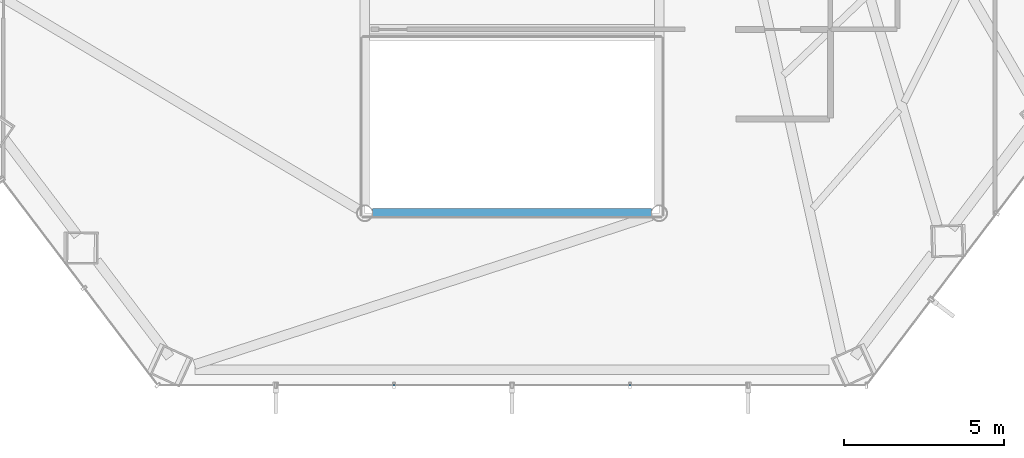
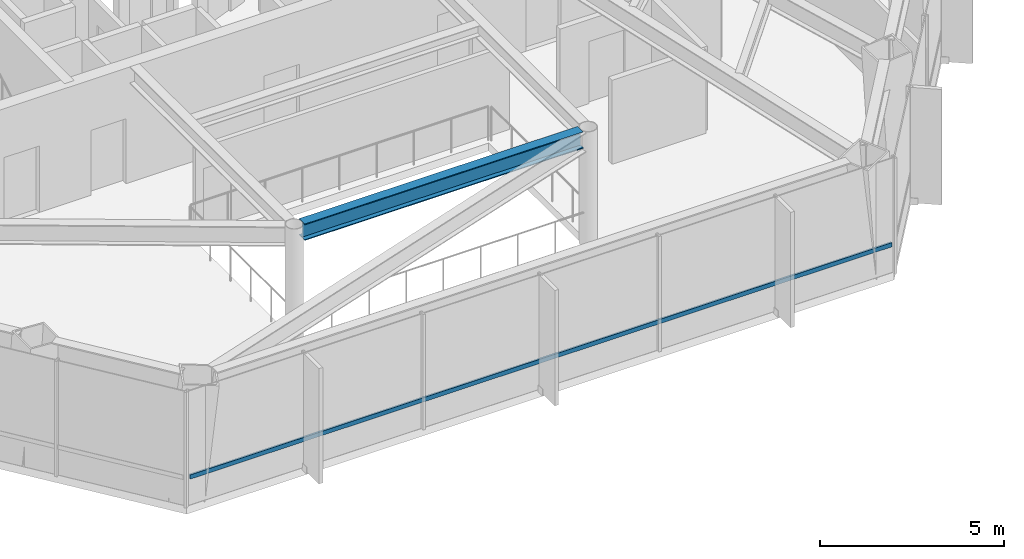
# One storey, part 9 of 27: 1 beam, 1 member, 1 element without a shape of its own.
"""IFC4 building model written with IfcOpenShell, lengths in metres."""

from ifc_helpers import new_model, si_unit, direction, frame, origin, origin_2d, place, context, subcontext, project, spatial, hollow_rectangle, i_section, extrude, material, layer, layer_set, material_profile, profile_set, type_object, element, aggregate, save


model = new_model("IFC4")

# Units and contexts
model_context = context("Model", 3, precision=1e-05, world=origin(), true_north=direction((0.0, 1.0)))
body_context = subcontext(model_context, "Body", "Model", "MODEL_VIEW")
ifc_project = project(units=[si_unit("LENGTHUNIT", "METRE"), si_unit("AREAUNIT", "SQUARE_METRE"), si_unit("VOLUMEUNIT", "CUBIC_METRE"), si_unit("PLANEANGLEUNIT", "RADIAN"), si_unit("MASSUNIT", "GRAM", prefix="KILO")], contexts=[model_context])

# Site, building, storey
site_placement = place(None, origin())
site = spatial("IfcSite", under=ifc_project, at=site_placement, CompositionType="ELEMENT")
building_placement = place(site_placement, origin())
building = spatial("IfcBuilding", under=site, at=building_placement, Name="Zarrinselat Tower", CompositionType="ELEMENT")
storey_placement = place(building_placement, frame((0.0, 0.0, 47.93994140625)))
storey = spatial("IfcBuildingStorey", under=building, at=storey_placement, Name="L11", CompositionType="ELEMENT", Elevation=47.93994140625)

# Beam
ifc_material_1 = material(Name="Steel S355J2", Category="steel")
ifc_material_profile_1 = material_profile(ifc_material_1, i_section(OverallWidth=0.300048828125, OverallDepth=0.550048828125, WebThickness=0.014892578125, FlangeThickness=0.029052734375, at=origin_2d()), Name="HEB 550")
ifc_profile_set_1 = profile_set([ifc_material_profile_1], Name="Steel S355J2")
beam_type = type_object("IfcBeamType", Name="BM-HEB550", PredefinedType="BEAM", material=ifc_profile_set_1)
beam_placement = place(storey_placement, frame((34.0400390625, 24.39990234375, 3.545166015625), z_axis=(1.0, 0.0, 0.0), x_axis=(0.0, 1.0, 0.0)))
element("IfcBeam", 1, at=beam_placement, inside=storey, type_object=beam_type, Name="L11 Atrium Edge Beam S", PredefinedType="BEAM", context=body_context, shape_type="SweptSolid", body=[
    extrude(i_section(OverallWidth=0.300048828125, OverallDepth=0.550048828125, WebThickness=0.014892578125, FlangeThickness=0.029052734375, at=origin_2d()), origin(), (0.0, 0.0, 1.0), 8.719970703125),
])

# Curtain wall, member
ifc_material_2 = material(Name="Extruded Aluminium Alloy EN AW-6063 T6", Category="aluminium")
ifc_layer = layer(ifc_material_2, 0.18505859375)
ifc_layer_set = layer_set([ifc_layer], Name="Extruded Aluminium Alloy EN AW-6063 T6")
curtain_wall_type = type_object("IfcCurtainWallType", Name="CWS-OFF", PredefinedType="NOTDEFINED", material=ifc_layer_set)
curtain_wall_placement = place(storey_placement, origin())
curtain_wall = element("IfcCurtainWall", 2, at=curtain_wall_placement, inside=storey, type_object=curtain_wall_type, Name="L11 Unitised Curtain Wall CW-L11-E04", PredefinedType="NOTDEFINED")
ifc_material_3 = material(Name="Extruded Aluminium Alloy EN AW-6063 T6", Category="aluminium")
ifc_material_profile_2 = material_profile(ifc_material_3, hollow_rectangle(XDim=0.06005859375, YDim=0.139892578125, WallThickness=0.00390625, at=origin_2d()), Name="RHS 140x60x4")
ifc_profile_set_2 = profile_set([ifc_material_profile_2], Name="Extruded Aluminium Alloy EN AW-6063 T6")
member_type = type_object("IfcMemberType", Name="MEM-CW-TRN", PredefinedType="USERDEFINED", material=ifc_profile_set_2)
member_placement = place(storey_placement, frame((27.415283203125, 19.02294921875, 0.949951171875), z_axis=(1.0, 0.0, 0.0), x_axis=(0.0, 1.0, 0.0)))
member = element("IfcMember", 3, at=member_placement, type_object=member_type, Name="CW-L11-E04 Transom 1", ObjectType="TRANSOM", PredefinedType="USERDEFINED", context=body_context, shape_type="SweptSolid", body=[
    extrude(hollow_rectangle(XDim=0.06005859375, YDim=0.139892578125, WallThickness=0.00390625, at=origin_2d()), origin(), (0.0, 0.0, 1.0), 21.96923828125),
])
aggregate(curtain_wall, [member])

save(model, "model.ifc")
